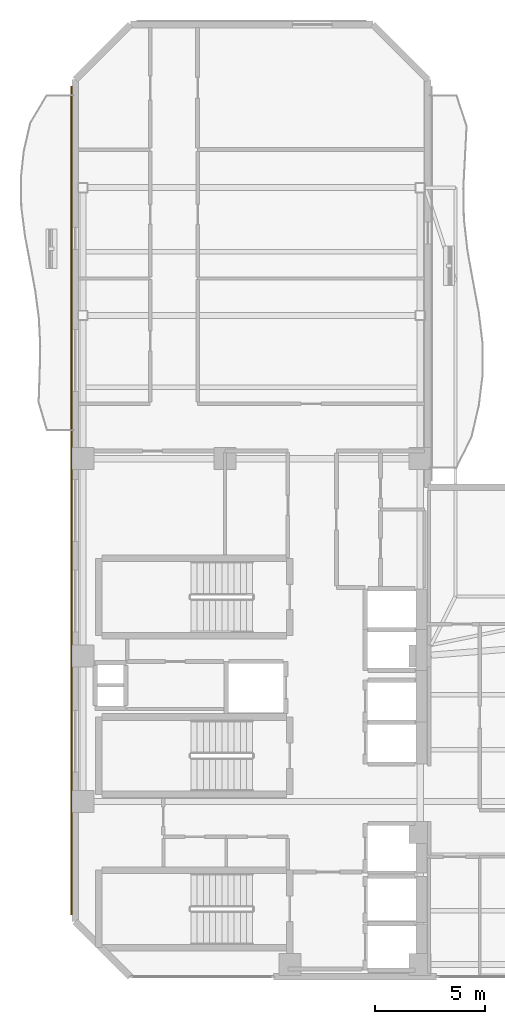
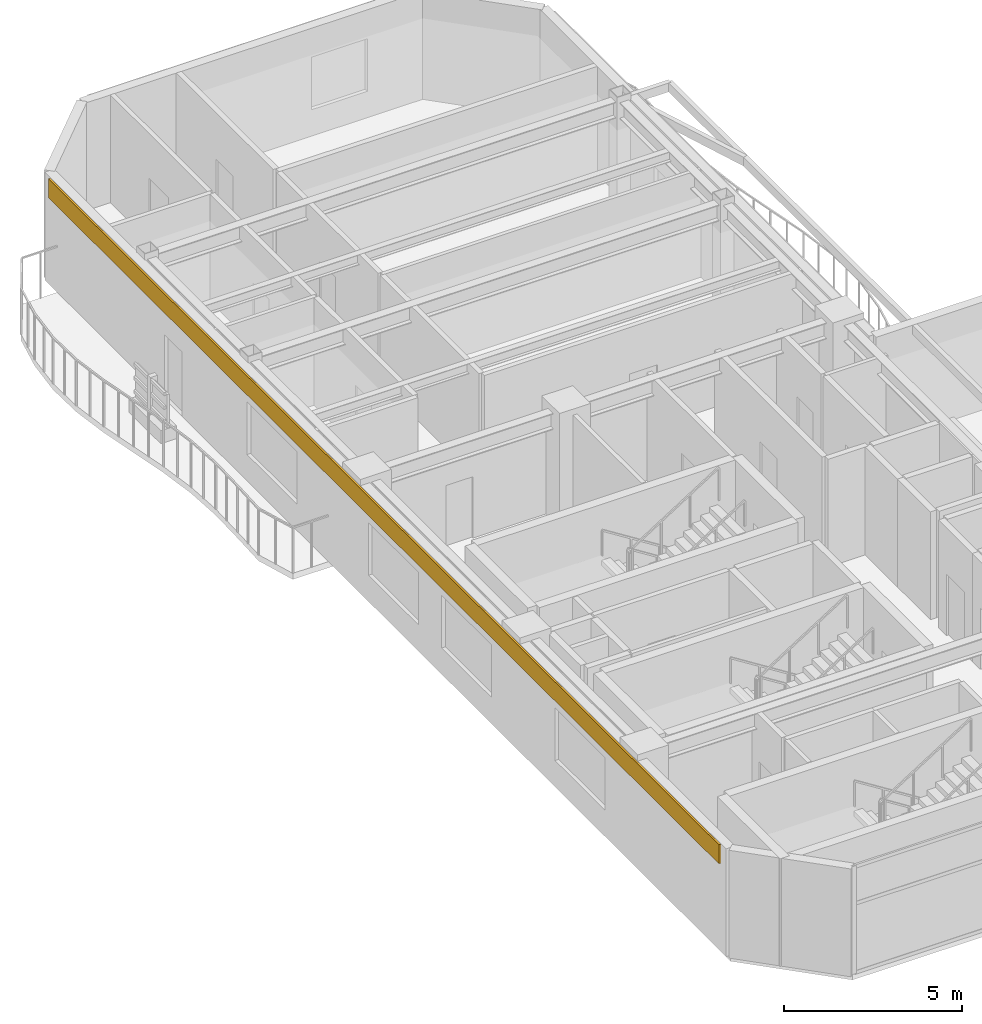
# One storey, part 14 of 16: 1 covering.
"""IFC4 building model written with IfcOpenShell, lengths in metres."""

from ifc_helpers import new_model, si_unit, direction, frame, origin, origin_2d, place, context, subcontext, project, spatial, rectangle, extrude, material, layer, layer_set, type_object, element, save


model = new_model("IFC4")

# Units and contexts
model_context = context("Model", 3, precision=1e-05, world=origin(), true_north=direction((0.0, 1.0)))
body_context = subcontext(model_context, "Body", "Model", "MODEL_VIEW")
ifc_project = project(units=[si_unit("LENGTHUNIT", "METRE"), si_unit("AREAUNIT", "SQUARE_METRE"), si_unit("VOLUMEUNIT", "CUBIC_METRE"), si_unit("PLANEANGLEUNIT", "RADIAN"), si_unit("MASSUNIT", "GRAM", prefix="KILO")], contexts=[model_context])

# Site, building, storey
site_placement = place(None, origin())
site = spatial("IfcSite", under=ifc_project, at=site_placement, CompositionType="ELEMENT")
building_placement = place(site_placement, origin())
building = spatial("IfcBuilding", under=site, at=building_placement, Name="Mawjaban Terraces University", CompositionType="ELEMENT")
storey_placement = place(building_placement, frame((0.0, 0.0, 230.39990234375)))
storey = spatial("IfcBuildingStorey", under=building, at=storey_placement, Name="L56", CompositionType="ELEMENT", Elevation=230.39990234375)

# Covering
ifc_material = material(Name="Glazed architectural terracotta rainscreen", Category="masonry")
ifc_layer = layer(ifc_material, 0.06005859375)
ifc_layer_set = layer_set([ifc_layer], Name="Glazed architectural terracotta rainscreen")
covering_type = type_object("IfcCoveringType", Name="TerracottaSpandrelCladding_60", PredefinedType="CLADDING", material=ifc_layer_set)
covering_placement = place(storey_placement, frame((21.824951171875, 21.60009765625, 3.01513671875), z_axis=(0.0, 0.0, 1.0), x_axis=(0.0, -1.0, 0.0)))
element("IfcCovering", 1, at=covering_placement, inside=storey, type_object=covering_type, Name="L56 Terracotta Spandrel Cladding 13", PredefinedType="CLADDING", context=body_context, shape_type="SweptSolid", body=[
    extrude(rectangle(XDim=37.60009765625, YDim=0.06005859375, at=origin_2d()), origin(), (0.0, 0.0, 1.0), 0.64990234375),
])

save(model, "model.ifc")
